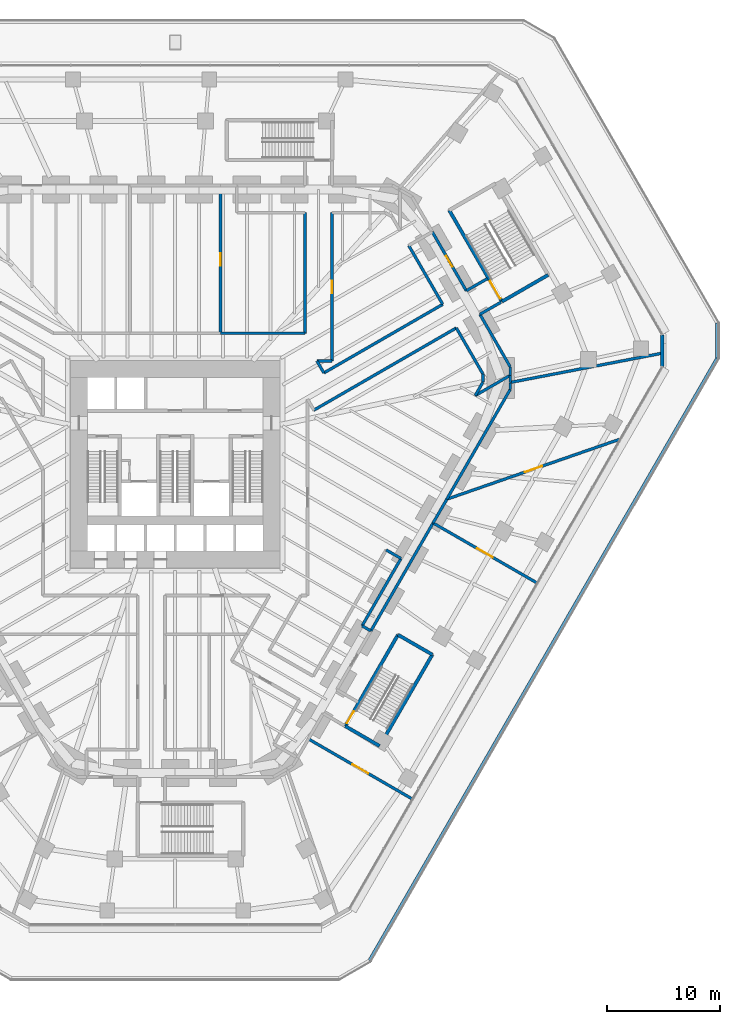
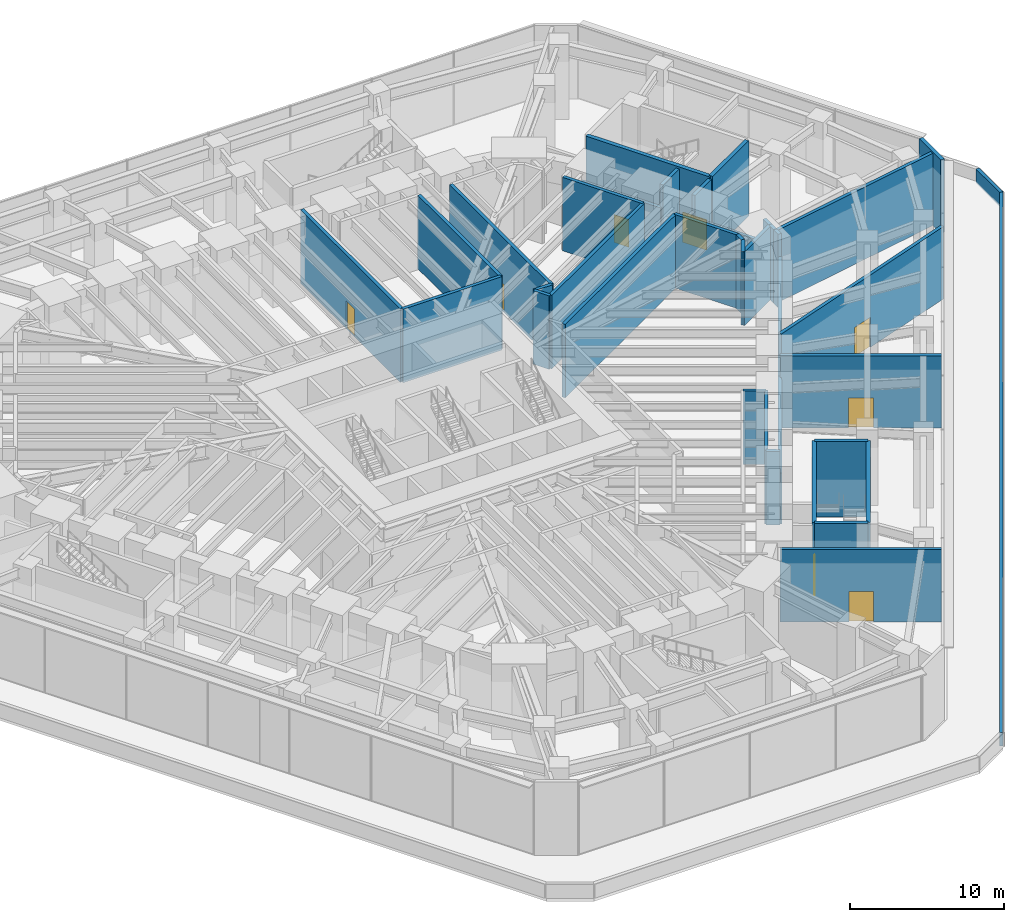
# One storey, part 18 of 25: 39 walls, 8 doors, 8 openings.
"""IFC4 building model written with IfcOpenShell, lengths in metres."""

from ifc_helpers import new_model, si_unit, direction, frame, frame_2d, origin, place, context, subcontext, project, spatial, rectangle, extrude, material, layer, layer_set, type_object, element, fill, save


model = new_model("IFC4")

# Units and contexts
model_context = context("Model", 3, precision=1e-05, world=origin(), true_north=direction((0.0, 1.0)))
body_context = subcontext(model_context, "Body", "Model", "MODEL_VIEW")
ifc_project = project(units=[si_unit("LENGTHUNIT", "METRE"), si_unit("AREAUNIT", "SQUARE_METRE"), si_unit("VOLUMEUNIT", "CUBIC_METRE"), si_unit("PLANEANGLEUNIT", "RADIAN"), si_unit("MASSUNIT", "GRAM", prefix="KILO")], contexts=[model_context])

# Site, building, storey
site_placement = place(None, origin())
site = spatial("IfcSite", under=ifc_project, at=site_placement, CompositionType="ELEMENT")
building_placement = place(site_placement, origin())
building = spatial("IfcBuilding", under=site, at=building_placement, Name="Sandreach Pilgrim Tower", CompositionType="ELEMENT")
storey_placement = place(building_placement, frame((0.0, 0.0, 6.0)))
storey = spatial("IfcBuildingStorey", under=building, at=storey_placement, Name="L01", CompositionType="ELEMENT", Elevation=6.0)

# Wall, opening, door
ifc_material_1 = material(Name="Acoustic gypsum board wall, double frame", Category="gypsum")
ifc_layer_1 = layer(ifc_material_1, 0.25)
ifc_layer_set_1 = layer_set([ifc_layer_1], Name="Hall partition 250")
wall_type_1 = type_object("IfcWallType", Name="Hall partition 250", PredefinedType="PARTITIONING", material=ifc_layer_set_1)
wall_1_placement = place(storey_placement, frame((4.0, 23.050048828125, 0.0), z_axis=(0.0, 0.0, 1.0), x_axis=(0.0, -1.0, 0.0)))
wall_1 = element("IfcWall", 1, at=wall_1_placement, inside=storey, type_object=wall_type_1, Name="Hall partition L01-073", PredefinedType="PARTITIONING", context=body_context, shape_type="SweptSolid", body=[
    extrude(rectangle(XDim=13.030029296875, YDim=0.25, at=frame_2d((6.51513671875, 0.0))), origin(), (0.0, 0.0, 1.0), 5.840087890625),
])
opening_1_placement = place(wall_1_placement, frame((5.965087890625, 0.0, 0.0)))
opening_1 = element("IfcOpeningElement", 2, at=opening_1_placement, cuts=wall_1, Name="Opening D11H-R1", PredefinedType="OPENING", context=body_context, shape_type="SweptSolid", body=[
    extrude(rectangle(XDim=1.10009765625, YDim=2.199951171875, at=frame_2d((0.550048828125, 1.10009765625))), frame((0.0, 0.125, 0.0), z_axis=(0.0, -1.0, 0.0), x_axis=(1.0, 0.0, 0.0)), (0.0, 0.0, 1.0), 0.25),
])
ifc_material_2 = material(Name="Steel door and frame", Category="steel")
door_type_1 = type_object("IfcDoorType", Name="Back of house door", OperationType="SINGLE_SWING_LEFT", PredefinedType="DOOR", material=ifc_material_2)
door_1_placement = place(opening_1_placement, origin())
door_1 = element("IfcDoor", 3, at=door_1_placement, inside=storey, type_object=door_type_1, Name="Door 01R1", OperationType="SINGLE_SWING_LEFT", OverallHeight=2.199951171875, OverallWidth=1.10009765625, PredefinedType="DOOR", context=body_context, shape_type="SweptSolid", body=[
    extrude(rectangle(XDim=1.10009765625, YDim=2.199951171875, at=frame_2d((0.550048828125, 1.10009765625))), frame((0.0, 0.02490234375, 0.0), z_axis=(0.0, -1.0, 0.0), x_axis=(1.0, 0.0, 0.0)), (0.0, 0.0, 1.0), 0.050048828125),
])
fill(opening_1, door_1)

# Walls
wall_2_placement = place(storey_placement, frame((11.429931640625, 10.02001953125, 0.0), z_axis=(0.0, 0.0, 1.0), x_axis=(-1.0, 0.0, 0.0)))
element("IfcWall", 4, at=wall_2_placement, inside=storey, type_object=wall_type_1, Name="Hall partition L01-090", PredefinedType="PARTITIONING", context=body_context, shape_type="SweptSolid", body=[
    extrude(rectangle(XDim=7.429931640625, YDim=0.25, at=frame_2d((3.71484375, 0.0))), origin(), (0.0, 0.0, 1.0), 5.840087890625),
])
wall_3_placement = place(storey_placement, frame((11.429931640625, 20.64990234375, 0.0), z_axis=(0.0, 0.0, 1.0), x_axis=(0.0, -1.0, 0.0)))
element("IfcWall", 5, at=wall_3_placement, inside=storey, type_object=wall_type_1, Name="Hall partition L01-091", PredefinedType="PARTITIONING", context=body_context, shape_type="SweptSolid", body=[
    extrude(rectangle(XDim=10.6298828125, YDim=0.25, at=frame_2d((5.31494140625, 0.0))), origin(), (0.0, 0.0, 1.0), 5.840087890625),
])
wall_4_placement = place(storey_placement, frame((12.22998046875, 3.239990234375, 0.0), z_axis=(0.0, 0.0, 1.0), x_axis=(0.866071776036, 0.499919672301, 0.0)))
element("IfcWall", 6, at=wall_4_placement, inside=storey, type_object=wall_type_1, Name="Hall partition L01-098", PredefinedType="PARTITIONING", context=body_context, shape_type="SweptSolid", body=[
    extrude(rectangle(XDim=14.50244140625, YDim=0.25, at=frame_2d((7.251220703125, 0.0))), origin(), (0.0, 0.0, 1.0), 5.840087890625),
])
wall_5_placement = place(storey_placement, frame((12.5, 7.570068359375, 0.0), z_axis=(0.0, 0.0, 1.0), x_axis=(1.0, 0.0, 0.0)))
element("IfcWall", 7, at=wall_5_placement, inside=storey, type_object=wall_type_1, Name="Hall partition L01-099", PredefinedType="PARTITIONING", context=body_context, shape_type="SweptSolid", body=[
    extrude(rectangle(XDim=1.330078125, YDim=0.25, at=frame_2d((0.6650390625, 0.0))), origin(), (0.0, 0.0, 1.0), 5.840087890625),
])
wall_6_placement = place(storey_placement, frame((13.110107421875, 6.52001953125, 0.0), z_axis=(0.0, 0.0, 1.0), x_axis=(-0.502382838514, 0.864645293497, 0.0)))
element("IfcWall", 8, at=wall_6_placement, inside=storey, type_object=wall_type_1, Name="Hall partition L01-101", PredefinedType="PARTITIONING", context=body_context, shape_type="SweptSolid", body=[
    extrude(rectangle(XDim=1.21435546875, YDim=0.25, at=frame_2d((0.607177734375, 0.0))), origin(), (0.0, 0.0, 1.0), 5.840087890625),
])

# Wall, opening, door
wall_7_placement = place(storey_placement, frame((13.830078125, 7.570068359375, 0.0), z_axis=(0.0, 0.0, 1.0), x_axis=(0.0, 1.0, 0.0)))
wall_7 = element("IfcWall", 9, at=wall_7_placement, inside=storey, type_object=wall_type_1, Name="Hall partition L01-102", PredefinedType="PARTITIONING", context=body_context, shape_type="SweptSolid", body=[
    extrude(rectangle(XDim=13.079833984375, YDim=0.25, at=frame_2d((6.5400390625, 0.0))), origin(), (0.0, 0.0, 1.0), 5.840087890625),
])
opening_2_placement = place(wall_7_placement, frame((5.989990234375, 0.0, 0.0)))
opening_2 = element("IfcOpeningElement", 10, at=opening_2_placement, cuts=wall_7, Name="Opening D11H-B1", PredefinedType="OPENING", context=body_context, shape_type="SweptSolid", body=[
    extrude(rectangle(XDim=1.10009765625, YDim=2.199951171875, at=frame_2d((0.550048828125, 1.10009765625))), frame((0.0, 0.125, 0.0), z_axis=(0.0, -1.0, 0.0), x_axis=(1.0, 0.0, 0.0)), (0.0, 0.0, 1.0), 0.25),
])
door_2_placement = place(opening_2_placement, origin())
door_2 = element("IfcDoor", 11, at=door_2_placement, inside=storey, type_object=door_type_1, Name="Door 01B1", OperationType="SINGLE_SWING_LEFT", OverallHeight=2.199951171875, OverallWidth=1.10009765625, PredefinedType="DOOR", context=body_context, shape_type="SweptSolid", body=[
    extrude(rectangle(XDim=1.10009765625, YDim=2.199951171875, at=frame_2d((0.550048828125, 1.10009765625))), frame((0.0, 0.02490234375, 0.0), z_axis=(0.0, -1.0, 0.0), x_axis=(1.0, 0.0, 0.0)), (0.0, 0.0, 1.0), 0.050048828125),
])
fill(opening_2, door_2)

# Walls
wall_8_placement = place(storey_placement, frame((16.47998046875, -15.780029296875, 0.0), z_axis=(0.0, 0.0, 1.0), x_axis=(0.500055203419, 0.86599352973, 0.0)))
element("IfcWall", 12, at=wall_8_placement, inside=storey, type_object=wall_type_1, Name="Hall partition L01-107", PredefinedType="PARTITIONING", context=body_context, shape_type="SweptSolid", body=[
    extrude(rectangle(XDim=6.859130859375, YDim=0.25, at=frame_2d((3.4296875, 0.0))), origin(), (0.0, 0.0, 1.0), 5.840087890625),
])
wall_9_placement = place(storey_placement, frame((17.25, -16.22998046875, 0.0), z_axis=(0.0, 0.0, 1.0), x_axis=(-0.863401368682, 0.504517667242, 0.0)))
element("IfcWall", 13, at=wall_9_placement, inside=storey, type_object=wall_type_1, Name="Hall partition L01-108", PredefinedType="PARTITIONING", context=body_context, shape_type="SweptSolid", body=[
    extrude(rectangle(XDim=0.891845703125, YDim=0.25, at=frame_2d((0.44580078125, 0.0))), origin(), (0.0, 0.0, 1.0), 5.840087890625),
])
wall_10_placement = place(storey_placement, frame((17.25, -16.22998046875, 0.0), z_axis=(0.0, 0.0, 1.0), x_axis=(0.499563458889, 0.866277294256, 0.0)))
element("IfcWall", 14, at=wall_10_placement, inside=storey, type_object=wall_type_1, Name="Hall partition L01-109", PredefinedType="PARTITIONING", context=body_context, shape_type="SweptSolid", body=[
    extrude(rectangle(XDim=10.989501953125, YDim=0.25, at=frame_2d((5.49462890625, 0.0))), origin(), (0.0, 0.0, 1.0), 4.0400390625),
])
wall_11_placement = place(storey_placement, frame((19.909912109375, -9.840087890625, 0.0), z_axis=(0.0, 0.0, 1.0), x_axis=(-0.867804826475, 0.496905205393, 0.0)))
element("IfcWall", 15, at=wall_11_placement, inside=storey, type_object=wall_type_1, Name="Hall partition L01-117", PredefinedType="PARTITIONING", context=body_context, shape_type="SweptSolid", body=[
    extrude(rectangle(XDim=1.50927734375, YDim=0.25, at=frame_2d((0.754638671875, 0.0))), origin(), (0.0, 0.0, 1.0), 5.840087890625),
])
wall_12_placement = place(storey_placement, frame((20.590087890625, 17.760009765625, 0.0), z_axis=(0.0, 0.0, 1.0), x_axis=(0.50044857655, -0.865766263046, 0.0)))
element("IfcWall", 16, at=wall_12_placement, inside=storey, type_object=wall_type_1, Name="Hall partition L01-118", PredefinedType="PARTITIONING", context=body_context, shape_type="SweptSolid", body=[
    extrude(rectangle(XDim=5.99462890625, YDim=0.25, at=frame_2d((2.997314453125, 0.0))), origin(), (0.0, 0.0, 1.0), 5.840087890625),
])

# Wall, opening, door
wall_13_placement = place(storey_placement, frame((20.89404296875, -31.044921875, 0.0), z_axis=(0.0, 0.0, 1.0), x_axis=(-0.865795861716, 0.500397367933, 0.0)))
wall_13 = element("IfcWall", 17, at=wall_13_placement, inside=storey, type_object=wall_type_1, Name="Hall partition L01-120", PredefinedType="PARTITIONING", context=body_context, shape_type="SweptSolid", body=[
    extrude(rectangle(XDim=10.5615234375, YDim=0.25, at=frame_2d((5.28076171875, 0.0))), origin(), (0.0, 0.0, 1.0), 5.75),
])
opening_3_placement = place(wall_13_placement, frame((4.480712890625, 0.0, 0.0)))
opening_3 = element("IfcOpeningElement", 18, at=opening_3_placement, cuts=wall_13, Name="Opening D16-N5H", PredefinedType="OPENING", context=body_context, shape_type="SweptSolid", body=[
    extrude(rectangle(XDim=1.60009765625, YDim=2.39990234375, at=frame_2d((0.800048828125, 1.199951171875))), frame((0.0, 0.125, 0.0), z_axis=(0.0, -1.0, 0.0), x_axis=(1.0, 0.0, 0.0)), (0.0, 0.0, 1.0), 0.25),
])
ifc_material_3 = material(Name="Steel door and frame", Category="steel")
door_type_2 = type_object("IfcDoorType", Name="Hall double door", OperationType="DOUBLE_DOOR_SINGLE_SWING", PredefinedType="DOOR", material=ifc_material_3)
door_3_placement = place(opening_3_placement, origin())
door_3 = element("IfcDoor", 19, at=door_3_placement, inside=storey, type_object=door_type_2, Name="Door 01N5", OperationType="DOUBLE_DOOR_SINGLE_SWING", OverallHeight=2.39990234375, OverallWidth=1.60009765625, PredefinedType="DOOR", context=body_context, shape_type="SweptSolid", body=[
    extrude(rectangle(XDim=1.60009765625, YDim=2.39990234375, at=frame_2d((0.800048828125, 1.199951171875))), frame((0.0, 0.02490234375, 0.0), z_axis=(0.0, -1.0, 0.0), x_axis=(1.0, 0.0, 0.0)), (0.0, 0.0, 1.0), 0.050048828125),
])
fill(opening_3, door_3)

wall_14_placement = place(storey_placement, frame((22.739990234375, -6.7099609375, 0.0), z_axis=(0.0, 0.0, 1.0), x_axis=(0.866032888183, -0.499987036418, 0.0)))
wall_14 = element("IfcWall", 20, at=wall_14_placement, inside=storey, type_object=wall_type_1, Name="Hall partition L01-123", PredefinedType="PARTITIONING", context=body_context, shape_type="SweptSolid", body=[
    extrude(rectangle(XDim=10.570068359375, YDim=0.25, at=frame_2d((5.28515625, 0.0))), origin(), (0.0, 0.0, 1.0), 5.75),
])
opening_4_placement = place(wall_14_placement, frame((4.485107421875, 0.0, 0.0)))
opening_4 = element("IfcOpeningElement", 21, at=opening_4_placement, cuts=wall_14, Name="Opening D16-N6H", PredefinedType="OPENING", context=body_context, shape_type="SweptSolid", body=[
    extrude(rectangle(XDim=1.60009765625, YDim=2.39990234375, at=frame_2d((0.800048828125, 1.199951171875))), frame((0.0, 0.125, 0.0), z_axis=(0.0, -1.0, 0.0), x_axis=(1.0, 0.0, 0.0)), (0.0, 0.0, 1.0), 0.25),
])
door_4_placement = place(opening_4_placement, origin())
door_4 = element("IfcDoor", 22, at=door_4_placement, inside=storey, type_object=door_type_2, Name="Door 01N6", OperationType="DOUBLE_DOOR_SINGLE_SWING", OverallHeight=2.39990234375, OverallWidth=1.60009765625, PredefinedType="DOOR", context=body_context, shape_type="SweptSolid", body=[
    extrude(rectangle(XDim=1.60009765625, YDim=2.39990234375, at=frame_2d((0.800048828125, 1.199951171875))), frame((0.0, 0.02490234375, 0.0), z_axis=(0.0, -1.0, 0.0), x_axis=(1.0, 0.0, 0.0)), (0.0, 0.0, 1.0), 0.050048828125),
])
fill(opening_4, door_4)

# Walls
wall_15_placement = place(storey_placement, frame((23.590087890625, 12.570068359375, 0.0), z_axis=(0.0, 0.0, 1.0), x_axis=(-0.866045825216, -0.499964627375, 0.0)))
element("IfcWall", 23, at=wall_15_placement, inside=storey, type_object=wall_type_1, Name="Hall partition L01-124", PredefinedType="PARTITIONING", context=body_context, shape_type="SweptSolid", body=[
    extrude(rectangle(XDim=12.10107421875, YDim=0.25, at=frame_2d((6.050537109375, 0.0))), origin(), (0.0, 0.0, 1.0), 5.840087890625),
])
wall_16_placement = place(storey_placement, frame((23.949951171875, -4.610107421875, 0.0), z_axis=(0.0, 0.0, 1.0), x_axis=(0.50047095257, 0.865753328399, 0.0)))
element("IfcWall", 24, at=wall_16_placement, inside=storey, type_object=wall_type_1, Name="Hall partition L01-125", PredefinedType="PARTITIONING", context=body_context, shape_type="SweptSolid", body=[
    extrude(rectangle(XDim=11.169677734375, YDim=0.25, at=frame_2d((5.5849609375, 0.0))), origin(), (0.0, 0.0, 1.0), 4.0400390625),
])
wall_17_placement = place(storey_placement, frame((23.9599609375, -4.610107421875, 0.0), z_axis=(0.0, 0.0, 1.0), x_axis=(-0.502351349133, -0.864663588932, 0.0)))
element("IfcWall", 25, at=wall_17_placement, inside=storey, type_object=wall_type_1, Name="Hall partition L01-126", PredefinedType="PARTITIONING", context=body_context, shape_type="SweptSolid", body=[
    extrude(rectangle(XDim=2.428466796875, YDim=0.25, at=frame_2d((1.21435546875, 0.0))), origin(), (0.0, 0.0, 1.0), 4.0400390625),
])
wall_18_placement = place(storey_placement, frame((24.7900390625, 10.489990234375, 0.0), z_axis=(0.0, 0.0, 1.0), x_axis=(0.499999753078, -0.866025546345, 0.0)))
element("IfcWall", 26, at=wall_18_placement, inside=storey, type_object=wall_type_1, Name="Hall partition L01-127", PredefinedType="PARTITIONING", context=body_context, shape_type="SweptSolid", body=[
    extrude(rectangle(XDim=4.69970703125, YDim=0.25, at=frame_2d((2.349853515625, 0.0))), origin(), (0.0, 0.0, 1.0), 5.840087890625),
])

# Wall, opening, door
wall_19_placement = place(storey_placement, frame((25.669921875, 13.77001953125, 0.0), z_axis=(0.0, 0.0, 1.0), x_axis=(-0.50044857655, 0.865766263046, 0.0)))
wall_19 = element("IfcWall", 27, at=wall_19_placement, inside=storey, type_object=wall_type_1, Name="Hall partition L01-128", PredefinedType="PARTITIONING", context=body_context, shape_type="SweptSolid", body=[
    extrude(rectangle(XDim=5.99462890625, YDim=0.25, at=frame_2d((2.997314453125, 0.0))), origin(), (0.0, 0.0, 1.0), 4.0400390625),
])
opening_5_placement = place(wall_19_placement, frame((2.447509765625, 0.0, 0.0)))
opening_5 = element("IfcOpeningElement", 28, at=opening_5_placement, cuts=wall_19, Name="Opening D11H-02", PredefinedType="OPENING", context=body_context, shape_type="SweptSolid", body=[
    extrude(rectangle(XDim=1.10009765625, YDim=2.199951171875, at=frame_2d((0.550048828125, 1.10009765625))), frame((0.0, 0.125, 0.0), z_axis=(0.0, -1.0, 0.0), x_axis=(1.0, 0.0, 0.0)), (0.0, 0.0, 1.0), 0.25),
])
door_5_placement = place(opening_5_placement, origin())
door_5 = element("IfcDoor", 29, at=door_5_placement, inside=storey, type_object=door_type_1, Name="Door 0102", OperationType="SINGLE_SWING_LEFT", OverallHeight=2.199951171875, OverallWidth=1.10009765625, PredefinedType="DOOR", context=body_context, shape_type="SweptSolid", body=[
    extrude(rectangle(XDim=1.10009765625, YDim=2.199951171875, at=frame_2d((0.550048828125, 1.10009765625))), frame((0.0, 0.02490234375, 0.0), z_axis=(0.0, -1.0, 0.0), x_axis=(1.0, 0.0, 0.0)), (0.0, 0.0, 1.0), 0.050048828125),
])
fill(opening_5, door_5)

# Walls
wall_20_placement = place(storey_placement, frame((26.449951171875, 4.52001953125, 0.0), z_axis=(0.0, 0.0, 1.0), x_axis=(0.865299881392, 0.501254541389, 0.0)))
element("IfcWall", 30, at=wall_20_placement, inside=storey, type_object=wall_type_1, Name="Hall partition L01-129", PredefinedType="PARTITIONING", context=body_context, shape_type="SweptSolid", body=[
    extrude(rectangle(XDim=3.571044921875, YDim=0.25, at=frame_2d((1.78564453125, 0.0))), origin(), (0.0, 0.0, 1.0), 5.840087890625),
])
wall_21_placement = place(storey_placement, frame((26.8701171875, 11.68994140625, 0.0), z_axis=(0.0, 0.0, 1.0), x_axis=(0.866775979586, 0.498697705241, 0.0)))
element("IfcWall", 31, at=wall_21_placement, inside=storey, type_object=wall_type_1, Name="Hall partition L01-130", PredefinedType="PARTITIONING", context=body_context, shape_type="SweptSolid", body=[
    extrude(rectangle(XDim=2.145751953125, YDim=0.25, at=frame_2d((1.07275390625, 0.0))), origin(), (0.0, 0.0, 1.0), 5.840087890625),
])
wall_22_placement = place(storey_placement, frame((27.139892578125, 5.7099609375, 0.0), z_axis=(0.0, 0.0, 1.0), x_axis=(-0.501595895466, -0.865102050426, 0.0)))
element("IfcWall", 32, at=wall_22_placement, inside=storey, type_object=wall_type_1, Name="Hall partition L01-131", PredefinedType="PARTITIONING", context=body_context, shape_type="SweptSolid", body=[
    extrude(rectangle(XDim=1.37548828125, YDim=0.25, at=frame_2d((0.687744140625, 0.0))), origin(), (0.0, 0.0, 1.0), 5.840087890625),
])
wall_23_placement = place(storey_placement, frame((27.139892578125, 6.419921875, 0.0), z_axis=(0.0, 0.0, 1.0), x_axis=(0.0, -1.0, 0.0)))
element("IfcWall", 33, at=wall_23_placement, inside=storey, type_object=wall_type_1, Name="Hall partition L01-132", PredefinedType="PARTITIONING", context=body_context, shape_type="SweptSolid", body=[
    extrude(rectangle(XDim=0.7099609375, YDim=0.25, at=frame_2d((0.35498046875, 0.0))), origin(), (0.0, 0.0, 1.0), 5.840087890625),
])
wall_24_placement = place(storey_placement, frame((27.530029296875, 14.840087890625, 0.0), z_axis=(0.0, 0.0, 1.0), x_axis=(-0.866804272416, -0.498648526841, 0.0)))
element("IfcWall", 34, at=wall_24_placement, inside=storey, type_object=wall_type_1, Name="Hall partition L01-133", PredefinedType="PARTITIONING", context=body_context, shape_type="SweptSolid", body=[
    extrude(rectangle(XDim=2.14599609375, YDim=0.25, at=frame_2d((1.072998046875, 0.0))), origin(), (0.0, 0.0, 1.0), 5.840087890625),
])
wall_25_placement = place(storey_placement, frame((29.5400390625, 5.64501953125, 0.0), z_axis=(0.0, 0.0, 1.0), x_axis=(0.0, -1.0, 0.0)))
element("IfcWall", 35, at=wall_25_placement, inside=storey, type_object=wall_type_1, Name="Hall partition L01-135", PredefinedType="PARTITIONING", context=body_context, shape_type="SweptSolid", body=[
    extrude(rectangle(XDim=0.5849609375, YDim=0.25, at=frame_2d((0.29248046875, 0.0))), origin(), (0.0, 0.0, 1.0), 5.840087890625),
])
wall_26_placement = place(storey_placement, frame((29.5400390625, 5.679931640625, 0.0), z_axis=(0.0, 0.0, 1.0), x_axis=(0.0, 1.0, 0.0)))
element("IfcWall", 36, at=wall_26_placement, inside=storey, type_object=wall_type_1, Name="Hall partition L01-136", PredefinedType="PARTITIONING", context=body_context, shape_type="SweptSolid", body=[
    extrude(rectangle(XDim=0.630126953125, YDim=0.25, at=frame_2d((0.31494140625, 0.0))), origin(), (0.0, 0.0, 1.0), 5.840087890625),
])
wall_27_placement = place(storey_placement, frame((29.5400390625, 6.31005859375, 0.0), z_axis=(0.0, 0.0, 1.0), x_axis=(0.0, 1.0, 0.0)))
element("IfcWall", 37, at=wall_27_placement, inside=storey, type_object=wall_type_1, Name="Hall partition L01-137", PredefinedType="PARTITIONING", context=body_context, shape_type="SweptSolid", body=[
    extrude(rectangle(XDim=0.75, YDim=0.25, at=frame_2d((0.375, 0.0))), origin(), (0.0, 0.0, 1.0), 5.840087890625),
])
wall_28_placement = place(storey_placement, frame((29.5400390625, 7.06005859375, 0.0), z_axis=(0.0, 0.0, 1.0), x_axis=(-0.499558989476, 0.866279871655, 0.0)))
element("IfcWall", 38, at=wall_28_placement, inside=storey, type_object=wall_type_1, Name="Hall partition L01-138", PredefinedType="PARTITIONING", context=body_context, shape_type="SweptSolid", body=[
    extrude(rectangle(XDim=5.344482421875, YDim=0.25, at=frame_2d((2.67236328125, 0.0))), origin(), (0.0, 0.0, 1.0), 4.0400390625),
])

# Wall, opening, door
wall_29_placement = place(storey_placement, frame((39.2216796875, 0.68017578125, 0.0), z_axis=(0.0, 0.0, 1.0), x_axis=(-0.944844742576, -0.327518568065, 0.0)))
wall_29 = element("IfcWall", 39, at=wall_29_placement, inside=storey, type_object=wall_type_1, Name="Hall partition L01-139", PredefinedType="PARTITIONING", context=body_context, shape_type="SweptSolid", body=[
    extrude(rectangle(XDim=16.152587890625, YDim=0.25, at=frame_2d((8.076171875, 0.0))), origin(), (0.0, 0.0, 1.0), 5.75),
])
opening_6_placement = place(wall_29_placement, frame((7.2763671875, 0.0, 0.0)))
opening_6 = element("IfcOpeningElement", 40, at=opening_6_placement, cuts=wall_29, Name="Opening D16-N4H", PredefinedType="OPENING", context=body_context, shape_type="SweptSolid", body=[
    extrude(rectangle(XDim=1.60009765625, YDim=2.39990234375, at=frame_2d((0.800048828125, 1.199951171875))), frame((0.0, 0.125, 0.0), z_axis=(0.0, -1.0, 0.0), x_axis=(1.0, 0.0, 0.0)), (0.0, 0.0, 1.0), 0.25),
])
door_6_placement = place(opening_6_placement, origin())
door_6 = element("IfcDoor", 41, at=door_6_placement, inside=storey, type_object=door_type_2, Name="Door 01N4", OperationType="DOUBLE_DOOR_SINGLE_SWING", OverallHeight=2.39990234375, OverallWidth=1.60009765625, PredefinedType="DOOR", context=body_context, shape_type="SweptSolid", body=[
    extrude(rectangle(XDim=1.60009765625, YDim=2.39990234375, at=frame_2d((0.800048828125, 1.199951171875))), frame((0.0, 0.02490234375, 0.0), z_axis=(0.0, -1.0, 0.0), x_axis=(1.0, 0.0, 0.0)), (0.0, 0.0, 1.0), 0.050048828125),
])
fill(opening_6, door_6)

# Wall
wall_30_placement = place(storey_placement, frame((42.96044921875, 8.264404296875, 0.0), z_axis=(0.0, 0.0, 1.0), x_axis=(-0.981957231685, -0.189103133611, 0.0)))
element("IfcWall", 42, at=wall_30_placement, inside=storey, type_object=wall_type_1, Name="Hall partition L01-140", PredefinedType="PARTITIONING", context=body_context, shape_type="SweptSolid", body=[
    extrude(rectangle(XDim=13.6669921875, YDim=0.25, at=frame_2d((6.83349609375, 0.0))), origin(), (0.0, 0.0, 1.0), 5.75),
])

# Wall, opening, door
ifc_material_4 = material(Name="Concrete 8000 psi", Category="concrete")
ifc_layer_2 = layer(ifc_material_4, 0.300048828125)
ifc_layer_set_2 = layer_set([ifc_layer_2], Name="Podium stair enclosure 300")
wall_type_2 = type_object("IfcWallType", Name="Podium stair enclosure 300", PredefinedType="SHEAR", material=ifc_layer_set_2)
wall_31_placement = place(storey_placement, frame((28.81494140625, 12.81298828125, 0.0), z_axis=(0.0, 0.0, 1.0), x_axis=(-0.500015592816, 0.866016401081, 0.0)))
wall_31 = element("IfcWall", 43, at=wall_31_placement, inside=storey, type_object=wall_type_2, Name="Stair ST4 enclosure L01 1", PredefinedType="SHEAR", context=body_context, shape_type="SweptSolid", body=[
    extrude(rectangle(XDim=9.300048828125, YDim=0.300048828125, at=frame_2d((4.64990234375, 0.0))), origin(), (0.0, 0.0, 1.0), 6.0),
])
opening_7_placement = place(wall_31_placement, frame((0.300048828125, 0.0, 0.0)))
opening_7 = element("IfcOpeningElement", 44, at=opening_7_placement, cuts=wall_31, Name="Opening D18S-ST4", PredefinedType="OPENING", context=body_context, shape_type="SweptSolid", body=[
    extrude(rectangle(XDim=1.800048828125, YDim=2.39990234375, at=frame_2d((0.89990234375, 1.199951171875))), frame((0.0, 0.14990234375, 0.0), z_axis=(0.0, -1.0, 0.0), x_axis=(1.0, 0.0, 0.0)), (0.0, 0.0, 1.0), 0.300048828125),
])
ifc_material_5 = material(Name="Steel door and frame", Category="steel")
door_type_3 = type_object("IfcDoorType", Name="Podium stair door", OperationType="DOUBLE_DOOR_SINGLE_SWING", PredefinedType="DOOR", material=ifc_material_5)
door_7_placement = place(opening_7_placement, origin())
door_7 = element("IfcDoor", 45, at=door_7_placement, inside=storey, type_object=door_type_3, Name="Stair door ST4 L01", OperationType="DOUBLE_DOOR_SINGLE_SWING", OverallHeight=2.39990234375, OverallWidth=1.800048828125, PredefinedType="DOOR", context=body_context, shape_type="SweptSolid", body=[
    extrude(rectangle(XDim=1.800048828125, YDim=2.39990234375, at=frame_2d((0.89990234375, 1.199951171875))), frame((0.0, 0.02490234375, 0.0), z_axis=(0.0, -1.0, 0.0), x_axis=(1.0, 0.0, 0.0)), (0.0, 0.0, 1.0), 0.050048828125),
])
fill(opening_7, door_7)

# Wall
wall_32_placement = place(storey_placement, frame((32.88525390625, 15.162841796875, 0.0), z_axis=(0.0, 0.0, 1.0), x_axis=(-0.866038532462, -0.499977259774, 0.0)))
element("IfcWall", 46, at=wall_32_placement, inside=storey, type_object=wall_type_2, Name="Stair ST4 enclosure L01 4", PredefinedType="SHEAR", context=body_context, shape_type="SweptSolid", body=[
    extrude(rectangle(XDim=4.699951171875, YDim=0.300048828125, at=frame_2d((2.35009765625, 0.0))), origin(), (0.0, 0.0, 1.0), 6.0),
])

# Wall, opening, door
wall_33_placement = place(storey_placement, frame((14.994384765625, -24.626220703125, 0.0), z_axis=(0.0, 0.0, 1.0), x_axis=(0.500015592816, 0.866016401081, 0.0)))
wall_33 = element("IfcWall", 47, at=wall_33_placement, inside=storey, type_object=wall_type_2, Name="Stair ST8 enclosure L01 1", PredefinedType="SHEAR", context=body_context, shape_type="SweptSolid", body=[
    extrude(rectangle(XDim=9.300048828125, YDim=0.300048828125, at=frame_2d((4.64990234375, 0.0))), origin(), (0.0, 0.0, 1.0), 6.0),
])
opening_8_placement = place(wall_33_placement, frame((0.300048828125, 0.0, 0.0)))
opening_8 = element("IfcOpeningElement", 48, at=opening_8_placement, cuts=wall_33, Name="Opening D12S-ST8", PredefinedType="OPENING", context=body_context, shape_type="SweptSolid", body=[
    extrude(rectangle(XDim=1.199951171875, YDim=2.39990234375, at=frame_2d((0.60009765625, 1.199951171875))), frame((0.0, 0.14990234375, 0.0), z_axis=(0.0, -1.0, 0.0), x_axis=(1.0, 0.0, 0.0)), (0.0, 0.0, 1.0), 0.300048828125),
])
ifc_material_6 = material(Name="Steel door and frame", Category="steel")
door_type_4 = type_object("IfcDoorType", Name="Narrow podium stair door", OperationType="SINGLE_SWING_LEFT", PredefinedType="DOOR", material=ifc_material_6)
door_8_placement = place(opening_8_placement, origin())
door_8 = element("IfcDoor", 49, at=door_8_placement, inside=storey, type_object=door_type_4, Name="Stair door ST8 L01", OperationType="SINGLE_SWING_LEFT", OverallHeight=2.39990234375, OverallWidth=1.199951171875, PredefinedType="DOOR", context=body_context, shape_type="SweptSolid", body=[
    extrude(rectangle(XDim=1.199951171875, YDim=2.39990234375, at=frame_2d((0.60009765625, 1.199951171875))), frame((0.0, 0.02490234375, 0.0), z_axis=(0.0, -1.0, 0.0), x_axis=(1.0, 0.0, 0.0)), (0.0, 0.0, 1.0), 0.050048828125),
])
fill(opening_8, door_8)

# Walls
wall_34_placement = place(storey_placement, frame((19.64453125, -16.572265625, 0.0), z_axis=(0.0, 0.0, 1.0), x_axis=(0.866019471182, -0.500010275428, 0.0)))
element("IfcWall", 50, at=wall_34_placement, inside=storey, type_object=wall_type_2, Name="Stair ST8 enclosure L01 2", PredefinedType="SHEAR", context=body_context, shape_type="SweptSolid", body=[
    extrude(rectangle(XDim=3.5, YDim=0.300048828125, at=frame_2d((1.75, 0.0))), origin(), (0.0, 0.0, 1.0), 6.0),
])
wall_35_placement = place(storey_placement, frame((22.675537109375, -18.322265625, 0.0), z_axis=(0.0, 0.0, 1.0), x_axis=(-0.499995904083, -0.86602776855, 0.0)))
element("IfcWall", 51, at=wall_35_placement, inside=storey, type_object=wall_type_2, Name="Stair ST8 enclosure L01 3", PredefinedType="SHEAR", context=body_context, shape_type="SweptSolid", body=[
    extrude(rectangle(XDim=9.2998046875, YDim=0.300048828125, at=frame_2d((4.64990234375, 0.0))), origin(), (0.0, 0.0, 1.0), 6.0),
])
wall_36_placement = place(storey_placement, frame((18.025634765625, -26.376220703125, 0.0), z_axis=(0.0, 0.0, 1.0), x_axis=(-0.866036909293, 0.499980071345, 0.0)))
element("IfcWall", 52, at=wall_36_placement, inside=storey, type_object=wall_type_2, Name="Stair ST8 enclosure L01 4", PredefinedType="SHEAR", context=body_context, shape_type="SweptSolid", body=[
    extrude(rectangle(XDim=3.500244140625, YDim=0.300048828125, at=frame_2d((1.75, 0.0))), origin(), (0.0, 0.0, 1.0), 6.0),
])
ifc_material_7 = material(Name="Concrete parapet with terracotta coping", Category="masonry")
ifc_layer_3 = layer(ifc_material_7, 0.25)
ifc_layer_set_3 = layer_set([ifc_layer_3], Name="Setback parapet")
wall_type_3 = type_object("IfcWallType", Name="Setback parapet", PredefinedType="PARAPET", material=ifc_layer_set_3)
wall_37_placement = place(storey_placement, frame((17.116943359375, -45.29150390625, 0.0), z_axis=(0.0, 0.0, 1.0), x_axis=(0.499999154746, 0.866025891791, 0.0)))
element("IfcWall", 53, at=wall_37_placement, inside=storey, type_object=wall_type_3, Name="Setback parapet L01 8", PredefinedType="PARAPET", context=body_context, shape_type="SweptSolid", body=[
    extrude(rectangle(XDim=61.330078125, YDim=0.25, at=frame_2d((30.6650390625, 0.0))), origin(), (0.0, 0.0, 1.0), 1.10009765625),
])
wall_38_placement = place(storey_placement, frame((47.781982421875, 7.822021484375, 0.0), z_axis=(0.0, 0.0, 1.0), x_axis=(0.000631861496, 0.999999800376, 0.0)))
element("IfcWall", 54, at=wall_38_placement, inside=storey, type_object=wall_type_3, Name="Setback parapet L01 9", PredefinedType="PARAPET", context=body_context, shape_type="SweptSolid", body=[
    extrude(rectangle(XDim=3.091064453125, YDim=0.25, at=frame_2d((1.54541015625, 0.0))), origin(), (0.0, 0.0, 1.0), 1.10009765625),
])
ifc_material_8 = material(Name="Terracotta rainscreen on concrete", Category="masonry")
ifc_layer_4 = layer(ifc_material_8, 0.300048828125)
ifc_layer_set_4 = layer_set([ifc_layer_4], Name="Terracotta chamfer pier")
wall_type_4 = type_object("IfcWallType", Name="Terracotta chamfer pier", PredefinedType="SOLIDWALL", material=ifc_layer_set_4)
wall_39_placement = place(storey_placement, frame((42.9453125, 9.886962890625, 0.0), z_axis=(0.0, 0.0, 1.0), x_axis=(0.0, -1.0, 0.0)))
element("IfcWall", 55, at=wall_39_placement, inside=storey, type_object=wall_type_4, Name="Chamfer pier L01 NE", PredefinedType="SOLIDWALL", context=body_context, shape_type="SweptSolid", body=[
    extrude(rectangle(XDim=2.7998046875, YDim=0.300048828125, at=frame_2d((1.39990234375, 0.0))), origin(), (0.0, 0.0, 1.0), 5.840087890625),
])

save(model, "model.ifc")
